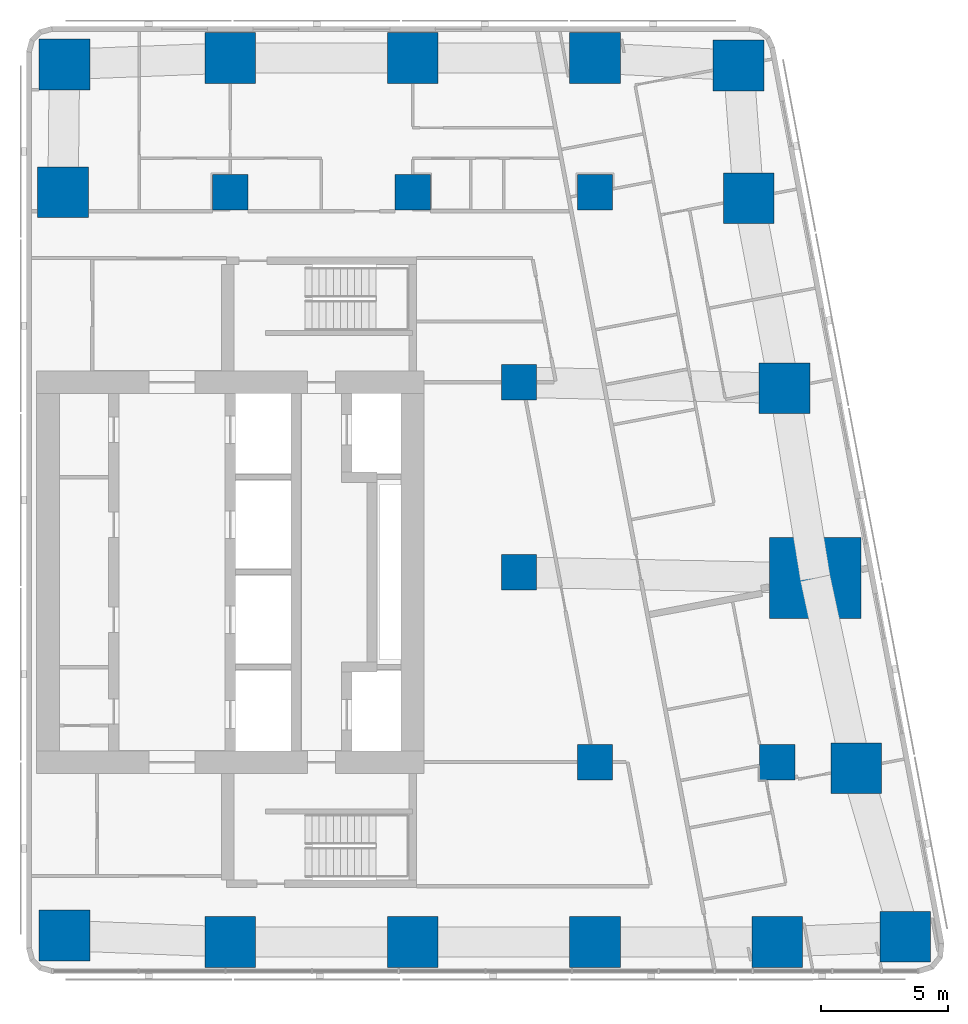
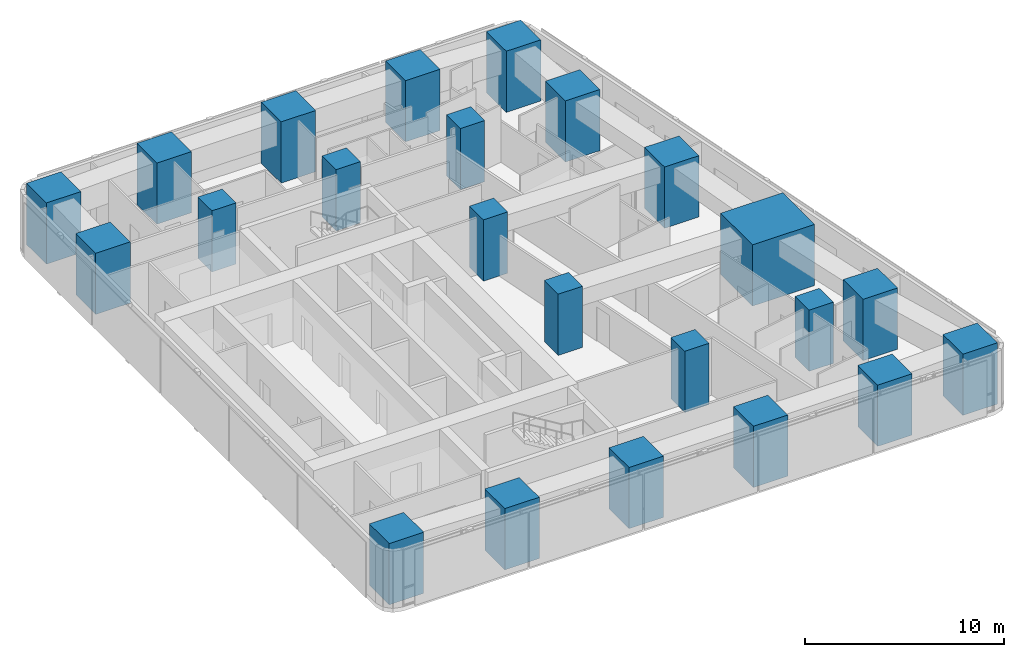
# One storey, part 1 of 10: 23 columns.
"""IFC4 building model written with IfcOpenShell, lengths in metres."""

from ifc_helpers import new_model, si_unit, direction, frame, origin, origin_2d, place, context, subcontext, project, spatial, rectangle, extrude, material, material_profile, profile_set, type_object, element, save


model = new_model("IFC4")

# Units and contexts
model_context = context("Model", 3, precision=1e-05, world=origin(), true_north=direction((0.0, 1.0)))
body_context = subcontext(model_context, "Body", "Model", "MODEL_VIEW")
ifc_project = project(units=[si_unit("LENGTHUNIT", "METRE"), si_unit("AREAUNIT", "SQUARE_METRE"), si_unit("VOLUMEUNIT", "CUBIC_METRE"), si_unit("PLANEANGLEUNIT", "RADIAN"), si_unit("MASSUNIT", "GRAM", prefix="KILO")], contexts=[model_context])

# Site, building, storey
site_placement = place(None, origin())
site = spatial("IfcSite", under=ifc_project, at=site_placement, CompositionType="ELEMENT")
building_placement = place(site_placement, origin())
building = spatial("IfcBuilding", under=site, at=building_placement, Name="Sheger Commons Tower", CompositionType="ELEMENT")
storey_placement = place(building_placement, frame((0.0, 0.0, 289.10009765625)))
storey = spatial("IfcBuildingStorey", under=building, at=storey_placement, Name="L74", CompositionType="ELEMENT", Elevation=289.10009765625)

# Columns
ifc_material_1 = material(Name="Concrete C50/60", Category="concrete")
ifc_material_profile_1 = material_profile(ifc_material_1, rectangle(XDim=3.60009765625, YDim=3.199951171875, at=origin_2d()), Name="RC 3600x3200")
ifc_profile_set_1 = profile_set([ifc_material_profile_1], Name="Concrete C50/60")
column_type_1 = type_object("IfcColumnType", Name="COLUMN PIER RC 3600x3200", PredefinedType="COLUMN", material=ifc_profile_set_1)
column_placement = place(storey_placement, frame((44.697021484375, 22.262939453125, 0.0), z_axis=(0.0, 0.0, 1.0), x_axis=(1.0, 0.0, 0.0)))
element("IfcColumn", 1, at=column_placement, inside=storey, type_object=column_type_1, Name="Pier 7/D+E/D L74", PredefinedType="COLUMN", context=body_context, shape_type="SweptSolid", body=[
    extrude(rectangle(XDim=3.60009765625, YDim=3.199951171875, at=origin_2d()), origin(), (0.0, 0.0, 1.0), 3.75),
])
ifc_material_2 = material(Name="Concrete C50/60", Category="concrete")
ifc_material_profile_2 = material_profile(ifc_material_2, rectangle(XDim=1.39990234375, YDim=1.39990234375, at=origin_2d()), Name="RC 1400x1400")
ifc_profile_set_2 = profile_set([ifc_material_profile_2], Name="Concrete C50/60")
column_type_2 = type_object("IfcColumnType", Name="COLUMN RC 1400x1400", PredefinedType="COLUMN", material=ifc_profile_set_2)
for number, where, z_axis, x_axis, name in (
    (2, (36.0, 15.0, 0.0), (0.0, 0.0, 1.0), (1.0, 0.0, 0.0), "Column 6/C L74"),
    (3, (43.199951171875, 15.0, 0.0), (0.0, 0.0, 1.0), (1.0, 0.0, 0.0), "Column 7/C L74"),
    (4, (33.0, 22.5, 0.0), (0.0, 0.0, 1.0), (1.0, 0.0, 0.0), "Column 6-3000/D L74"),
    (5, (33.0, 30.0, 0.0), (0.0, 0.0, 1.0), (1.0, 0.0, 0.0), "Column 6-3000/E L74"),
    (6, (21.60009765625, 37.5, 0.0), (0.0, 0.0, 1.0), (1.0, 0.0, 0.0), "Column 4/F L74"),
    (7, (28.800048828125, 37.5, 0.0), (0.0, 0.0, 1.0), (1.0, 0.0, 0.0), "Column 5/F L74"),
    (8, (36.0, 37.5, 0.0), (0.0, 0.0, 1.0), (1.0, 0.0, 0.0), "Column 6/F L74"),
):
    element("IfcColumn", number, at=place(storey_placement, frame(where, z_axis=z_axis, x_axis=x_axis)), inside=storey, type_object=column_type_2, Name=name, PredefinedType="COLUMN", context=body_context, shape_type="SweptSolid", body=[
        extrude(rectangle(XDim=1.39990234375, YDim=1.39990234375, at=origin_2d()), origin(), (0.0, 0.0, 1.0), 3.75),
    ])
ifc_material_3 = material(Name="Concrete C50/60", Category="concrete")
ifc_material_profile_3 = material_profile(ifc_material_3, rectangle(XDim=2.0, YDim=2.0, at=origin_2d()), Name="RC 2000x2000")
ifc_profile_set_3 = profile_set([ifc_material_profile_3], Name="Concrete C50/60")
column_type_3 = type_object("IfcColumnType", Name="COLUMN RC 2000x2000", PredefinedType="COLUMN", material=ifc_profile_set_3)
for number, where, z_axis, x_axis, name in (
    (9, (15.053955078125, 8.154052734375, 0.0), (0.0, 0.0, 1.0), (1.0, 0.0, 0.0), "Column 3/B L74"),
    (10, (21.60009765625, 7.89990234375, 0.0), (0.0, 0.0, 1.0), (1.0, 0.0, 0.0), "Column 4/B L74"),
    (11, (28.800048828125, 7.89990234375, 0.0), (0.0, 0.0, 1.0), (1.0, 0.0, 0.0), "Column 5/B L74"),
    (12, (36.0, 7.89990234375, 0.0), (0.0, 0.0, 1.0), (1.0, 0.0, 0.0), "Column 6/B L74"),
    (13, (43.199951171875, 7.89990234375, 0.0), (0.0, 0.0, 1.0), (1.0, 0.0, 0.0), "Column 7/B L74"),
    (14, (48.251953125, 8.10693359375, 0.0), (0.0, 0.0, 1.0), (1.0, 0.0, 0.0), "Column E/B L74"),
    (15, (46.31396484375, 14.762939453125, 0.0), (0.0, 0.0, 1.0), (1.0, 0.0, 0.0), "Column E/C L74"),
    (16, (43.47998046875, 29.762939453125, 0.0), (0.0, 0.0, 1.0), (1.0, 0.0, 0.0), "Column E/E L74"),
    (17, (15.0, 37.5, 0.0), (0.0, 0.0, 1.0), (1.0, 0.0, 0.0), "Column 3/F L74"),
    (18, (42.06396484375, 37.262939453125, 0.0), (0.0, 0.0, 1.0), (1.0, 0.0, 0.0), "Column E/F L74"),
    (19, (15.053955078125, 42.5458984375, 0.0), (0.0, 0.0, 1.0), (1.0, 0.0, 0.0), "Column 3/G-1.8 L74"),
    (20, (21.60009765625, 42.800048828125, 0.0), (0.0, 0.0, 1.0), (1.0, 0.0, 0.0), "Column 4/G-1.8 L74"),
    (21, (28.800048828125, 42.800048828125, 0.0), (0.0, 0.0, 1.0), (1.0, 0.0, 0.0), "Column 5/G-1.8 L74"),
    (22, (36.0, 42.800048828125, 0.0), (0.0, 0.0, 1.0), (1.0, 0.0, 0.0), "Column 6/G-1.8 L74"),
    (23, (41.6669921875, 42.506103515625, 0.0), (0.0, 0.0, 1.0), (1.0, 0.0, 0.0), "Column E/G-1.8 L74"),
):
    element("IfcColumn", number, at=place(storey_placement, frame(where, z_axis=z_axis, x_axis=x_axis)), inside=storey, type_object=column_type_3, Name=name, PredefinedType="COLUMN", context=body_context, shape_type="SweptSolid", body=[
        extrude(rectangle(XDim=2.0, YDim=2.0, at=origin_2d()), origin(), (0.0, 0.0, 1.0), 3.75),
    ])

save(model, "model.ifc")
